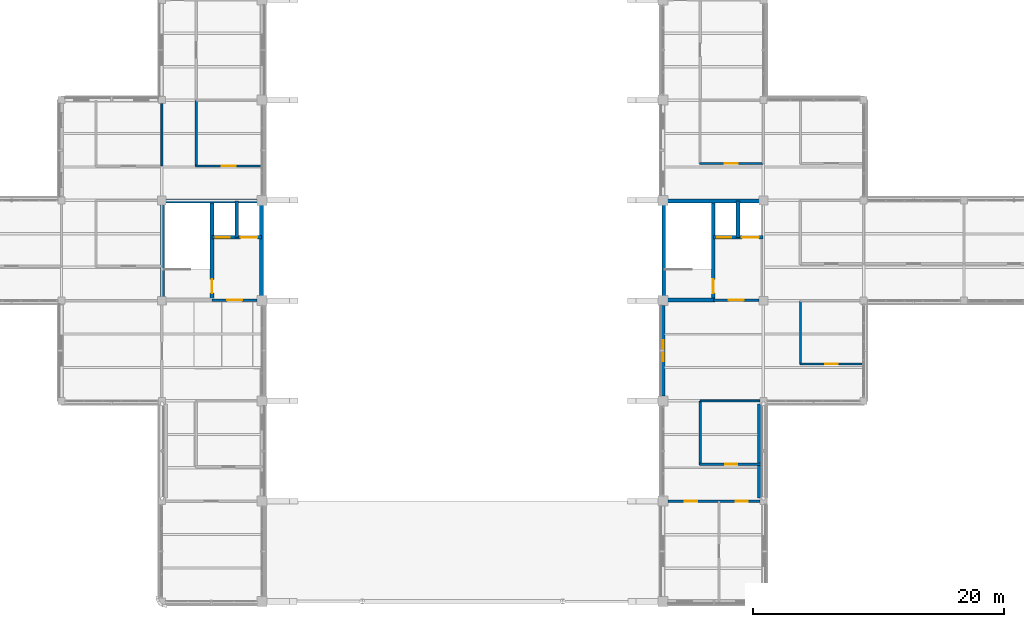
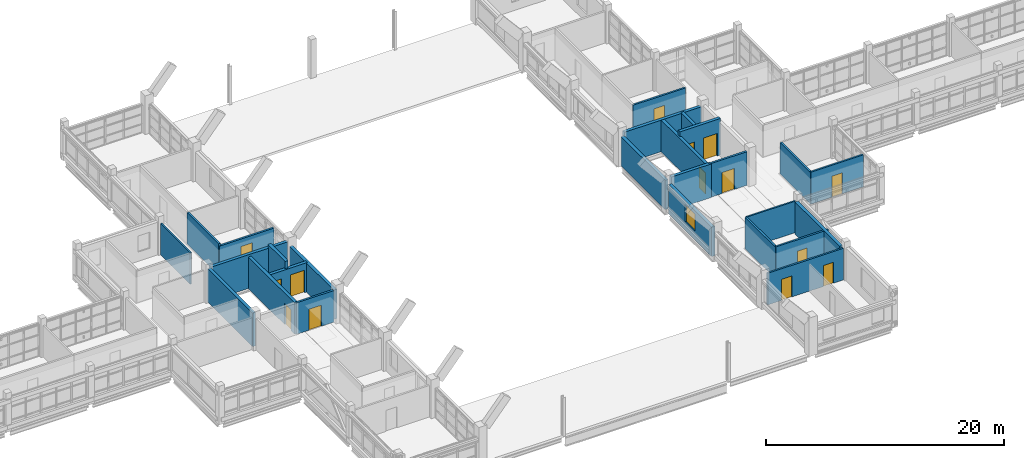
# One storey, part 66 of 92: 26 walls, 14 doors, 1 window, 15 openings.
"""IFC4 building model written with IfcOpenShell, lengths in metres."""

from ifc_helpers import new_model, si_unit, derived_unit, direction, frame, frame_2d, origin, place, context, subcontext, project, spatial, rectangle, extrude, material, layer, layer_set, type_object, element, fill, save


model = new_model("IFC4")

# Units and contexts
model_context = context("Model", 3, precision=1e-05, world=origin(), true_north=direction((0.0, 1.0)))
body_context = subcontext(model_context, "Body", "Model", "MODEL_VIEW")
ifc_project = project(units=[si_unit("LENGTHUNIT", "METRE"), si_unit("AREAUNIT", "SQUARE_METRE"), si_unit("VOLUMEUNIT", "CUBIC_METRE"), si_unit("PLANEANGLEUNIT", "RADIAN"), si_unit("MASSUNIT", "GRAM", prefix="KILO"), derived_unit("THERMALTRANSMITTANCEUNIT", [(si_unit("MASSUNIT", "GRAM", prefix="KILO"), 1), (si_unit("TIMEUNIT", "SECOND"), -3), (si_unit("THERMODYNAMICTEMPERATUREUNIT", "KELVIN"), -1)])], contexts=[model_context])

# Site, building, storey
site_placement = place(None, origin())
site = spatial("IfcSite", under=ifc_project, at=site_placement, CompositionType="ELEMENT")
building_placement = place(site_placement, origin())
building = spatial("IfcBuilding", under=site, at=building_placement, Name="Veyamyaing Civic Hall", CompositionType="ELEMENT")
storey_placement = place(building_placement, frame((0.0, 0.0, 17.820068359375)))
storey = spatial("IfcBuildingStorey", under=building, at=storey_placement, Name="L04", CompositionType="ELEMENT", Elevation=17.820068359375)

# Wall
ifc_material_1 = material(Name="Precast concrete C40/50", Category="concrete")
ifc_layer_1 = layer(ifc_material_1, 0.304931640625, Name="Precast concrete C40/50")
ifc_layer_set_1 = layer_set([ifc_layer_1], Name="Precast concrete C40/50")
wall_type_1 = type_object("IfcWallType", Name="WT-03", PredefinedType="SOLIDWALL", material=ifc_layer_set_1)
wall_1_placement = place(storey_placement, frame((111.699951171875, 32.260009765625, 0.0), z_axis=(0.0, 0.0, 1.0), x_axis=(0.0, 1.0, 0.0)))
element("IfcWall", 1, at=wall_1_placement, inside=storey, type_object=wall_type_1, Name="Exterior facade wall WT-03 L04 E 14.5", PredefinedType="SOLIDWALL", context=body_context, shape_type="SweptSolid", body=[
    extrude(rectangle(XDim=7.47998046875, YDim=0.304931640625, at=frame_2d((3.739990234375, 0.0))), origin(), (0.0, 0.0, 1.0), 3.288818359375),
])

# Wall, opening, window
wall_2_placement = place(storey_placement, frame((104.0, 40.385009765625, 0.0), z_axis=(0.0, 0.0, 1.0), x_axis=(0.0, 1.0, 0.0)))
wall_2 = element("IfcWall", 2, at=wall_2_placement, inside=storey, type_object=wall_type_1, Name="Exterior facade wall WT-03 L04 W 14.6", PredefinedType="SOLIDWALL", context=body_context, shape_type="SweptSolid", body=[
    extrude(rectangle(XDim=7.22998046875, YDim=0.304931640625, at=frame_2d((3.614990234375, 0.0))), origin(), (0.0, 0.0, 1.0), 3.001953125),
])
opening_1_placement = place(wall_2_placement, frame((2.7900390625, 0.0, 0.89990234375)))
opening_1 = element("IfcOpeningElement", 3, at=opening_1_placement, cuts=wall_2, Name="Opening W-24", PredefinedType="OPENING", context=body_context, shape_type="SweptSolid", body=[
    extrude(rectangle(XDim=1.64990234375, YDim=1.75, at=frame_2d((0.824951171875, 0.875))), frame((0.0, 0.162353515625, 0.0), z_axis=(0.0, -1.0, 0.0), x_axis=(1.0, 0.0, 0.0)), (0.0, 0.0, 1.0), 0.324951171875),
])
ifc_material_2 = material(Name="Low-E insulated glass", Category="glass")
window_type = type_object("IfcWindowType", Name="W-24", PartitioningType="SINGLE_PANEL", PredefinedType="WINDOW", material=ifc_material_2)
window_placement = place(opening_1_placement, origin())
window = element("IfcWindow", 4, at=window_placement, inside=storey, type_object=window_type, Name="Facade window W-24 L04 W 14.6", OverallHeight=1.75, OverallWidth=1.64990234375, PartitioningType="SINGLE_PANEL", PredefinedType="WINDOW", context=body_context, shape_type="SweptSolid", body=[
    extrude(rectangle(XDim=1.64990234375, YDim=1.75, at=frame_2d((0.824951171875, 0.875))), frame((0.0, 0.030029296875, 0.0), z_axis=(0.0, -1.0, 0.0), x_axis=(1.0, 0.0, 0.0)), (0.0, 0.0, 1.0), 0.06005859375),
])
fill(opening_1, window)

# Walls
ifc_material_3 = material(Name="Concrete C40/50", Category="concrete")
ifc_layer_2 = layer(ifc_material_3, 0.300048828125, Name="Concrete C40/50")
ifc_layer_set_2 = layer_set([ifc_layer_2], Name="Concrete C40/50")
wall_type_2 = type_object("IfcWallType", Name="WT-05", PredefinedType="SHEAR", material=ifc_layer_set_2)
wall_3_placement = place(storey_placement, frame((64.050048828125, 48.239990234375, 0.0), z_axis=(0.0, 0.0, 1.0), x_axis=(0.0, 1.0, 0.0)))
element("IfcWall", 5, at=wall_3_placement, inside=storey, type_object=wall_type_2, Name="Core shear wall WT-05 CORE-5 L04.W", PredefinedType="SHEAR", context=body_context, shape_type="SweptSolid", body=[
    extrude(rectangle(XDim=7.52001953125, YDim=0.300048828125, at=frame_2d((3.760009765625, 0.0))), origin(), (0.0, 0.0, 1.0), 3.43701171875),
])
wall_4_placement = place(storey_placement, frame((64.239990234375, 55.949951171875, 0.0), z_axis=(0.0, 0.0, 1.0), x_axis=(1.0, 0.0, 0.0)))
element("IfcWall", 6, at=wall_4_placement, inside=storey, type_object=wall_type_2, Name="Core shear wall WT-05 CORE-5 L04.N", PredefinedType="SHEAR", context=body_context, shape_type="SweptSolid", body=[
    extrude(rectangle(XDim=7.469970703125, YDim=0.300048828125, at=frame_2d((3.73486328125, 0.0))), origin(), (0.0, 0.0, 1.0), 3.43701171875),
])
wall_5_placement = place(storey_placement, frame((71.949951171875, 48.2900390625, 0.0), z_axis=(0.0, 0.0, 1.0), x_axis=(0.0, 1.0, 0.0)))
element("IfcWall", 7, at=wall_5_placement, inside=storey, type_object=wall_type_2, Name="Core shear wall WT-05 CORE-5 L04.E", PredefinedType="SHEAR", context=body_context, shape_type="SweptSolid", body=[
    extrude(rectangle(XDim=7.419921875, YDim=0.300048828125, at=frame_2d((3.7099609375, 0.0))), origin(), (0.0, 0.0, 1.0), 2.994873046875),
])

# Wall, opening, door
wall_6_placement = place(storey_placement, frame((68.0, 48.050048828125, 0.0), z_axis=(0.0, 0.0, 1.0), x_axis=(0.0, 1.0, 0.0)))
wall_6 = element("IfcWall", 8, at=wall_6_placement, inside=storey, type_object=wall_type_2, Name="Core shear wall WT-05 CORE-5 L04.MID", PredefinedType="SHEAR", context=body_context, shape_type="SweptSolid", body=[
    extrude(rectangle(XDim=7.89990234375, YDim=0.300048828125, at=frame_2d((3.949951171875, 0.0))), origin(), (0.0, 0.0, 1.0), 3.225830078125),
])
opening_2_placement = place(wall_6_placement, frame((0.550048828125, 0.0, 0.0)))
opening_2 = element("IfcOpeningElement", 9, at=opening_2_placement, cuts=wall_6, Name="Opening D-03", PredefinedType="OPENING", context=body_context, shape_type="SweptSolid", body=[
    extrude(rectangle(XDim=1.10009765625, YDim=2.14990234375, at=frame_2d((0.550048828125, 1.074951171875))), frame((0.0, 0.159912109375, 0.0), z_axis=(0.0, -1.0, 0.0), x_axis=(1.0, 0.0, 0.0)), (0.0, 0.0, 1.0), 0.320068359375),
])
ifc_material_4 = material(Name="Galvanized steel S355J2", Category="steel")
door_type_1 = type_object("IfcDoorType", Name="D-03", OperationType="NOTDEFINED", PredefinedType="DOOR", material=ifc_material_4)
door_1_placement = place(opening_2_placement, origin())
door_1 = element("IfcDoor", 10, at=door_1_placement, inside=storey, type_object=door_type_1, Name="Exit stair fire door D-03 ST-05 L04", OperationType="SINGLE_SWING_RIGHT", OverallHeight=2.14990234375, OverallWidth=1.10009765625, PredefinedType="DOOR", context=body_context, shape_type="SweptSolid", body=[
    extrude(rectangle(XDim=1.10009765625, YDim=2.14990234375, at=frame_2d((0.550048828125, 1.074951171875))), frame((0.0, 0.02490234375, 0.0), z_axis=(0.0, -1.0, 0.0), x_axis=(1.0, 0.0, 0.0)), (0.0, 0.0, 1.0), 0.050048828125),
])
fill(opening_2, door_1)

# Wall, openings, doors
wall_7_placement = place(storey_placement, frame((68.0, 53.050048828125, 0.0), z_axis=(0.0, 0.0, 1.0), x_axis=(1.0, 0.0, 0.0)))
wall_7 = element("IfcWall", 11, at=wall_7_placement, inside=storey, type_object=wall_type_2, Name="Core shear wall WT-05 CORE-5 L04.LFT", PredefinedType="SHEAR", context=body_context, shape_type="SweptSolid", body=[
    extrude(rectangle(XDim=3.949951171875, YDim=0.300048828125, at=frame_2d((1.97509765625, 0.0))), origin(), (0.0, 0.0, 1.0), 2.994873046875),
])
opening_3_placement = place(wall_7_placement, frame((0.320068359375, 0.0, 0.0)))
opening_3 = element("IfcOpeningElement", 12, at=opening_3_placement, cuts=wall_7, Name="Opening LD-01", PredefinedType="OPENING", context=body_context, shape_type="SweptSolid", body=[
    extrude(rectangle(XDim=1.10009765625, YDim=2.199951171875, at=frame_2d((0.550048828125, 1.10009765625))), frame((0.0, 0.159912109375, 0.0), z_axis=(0.0, -1.0, 0.0), x_axis=(1.0, 0.0, 0.0)), (0.0, 0.0, 1.0), 0.320068359375),
])
opening_4_placement = place(wall_7_placement, frame((2.280029296875, 0.0, 0.0)))
opening_4 = element("IfcOpeningElement", 13, at=opening_4_placement, cuts=wall_7, Name="Opening LD-03", PredefinedType="OPENING", context=body_context, shape_type="SweptSolid", body=[
    extrude(rectangle(XDim=1.35009765625, YDim=2.300048828125, at=frame_2d((0.675048828125, 1.14990234375))), frame((0.0, 0.159912109375, 0.0), z_axis=(0.0, -1.0, 0.0), x_axis=(1.0, 0.0, 0.0)), (0.0, 0.0, 1.0), 0.320068359375),
])
ifc_material_5 = material(Name="Anodised aluminium 6063-T6", Category="aluminium")
door_type_2 = type_object("IfcDoorType", Name="LD-01", OperationType="SLIDING_TO_LEFT", PredefinedType="DOOR", material=ifc_material_5)
door_2_placement = place(opening_3_placement, origin())
door_2 = element("IfcDoor", 14, at=door_2_placement, inside=storey, type_object=door_type_2, Name="Lift sliding landing door LD-01 PL-03 L04", OperationType="SLIDING_TO_LEFT", OverallHeight=2.199951171875, OverallWidth=1.10009765625, PredefinedType="DOOR", context=body_context, shape_type="SweptSolid", body=[
    extrude(rectangle(XDim=1.10009765625, YDim=2.199951171875, at=frame_2d((0.550048828125, 1.10009765625))), frame((0.0, 0.02490234375, 0.0), z_axis=(0.0, -1.0, 0.0), x_axis=(1.0, 0.0, 0.0)), (0.0, 0.0, 1.0), 0.050048828125),
])
fill(opening_3, door_2)
door_type_3 = type_object("IfcDoorType", Name="LD-03", OperationType="DOUBLE_DOOR_SLIDING", PredefinedType="DOOR", material=ifc_material_4)
door_3_placement = place(opening_4_placement, origin())
door_3 = element("IfcDoor", 15, at=door_3_placement, inside=storey, type_object=door_type_3, Name="Lift sliding landing door LD-03 GL-01 L04", OperationType="DOUBLE_DOOR_SLIDING", OverallHeight=2.300048828125, OverallWidth=1.35009765625, PredefinedType="DOOR", context=body_context, shape_type="SweptSolid", body=[
    extrude(rectangle(XDim=1.35009765625, YDim=2.300048828125, at=frame_2d((0.675048828125, 1.14990234375))), frame((0.0, 0.02490234375, 0.0), z_axis=(0.0, -1.0, 0.0), x_axis=(1.0, 0.0, 0.0)), (0.0, 0.0, 1.0), 0.050048828125),
])
fill(opening_4, door_3)

# Walls
wall_8_placement = place(storey_placement, frame((69.97998046875, 53.050048828125, 0.0), z_axis=(0.0, 0.0, 1.0), x_axis=(0.0, 1.0, 0.0)))
element("IfcWall", 16, at=wall_8_placement, inside=storey, type_object=wall_type_2, Name="Core shear wall WT-05 CORE-5 L04.LDIV", PredefinedType="SHEAR", context=body_context, shape_type="SweptSolid", body=[
    extrude(rectangle(XDim=2.89990234375, YDim=0.300048828125, at=frame_2d((1.449951171875, 0.0))), origin(), (0.0, 0.0, 1.0), 3.73486328125),
])
wall_9_placement = place(storey_placement, frame((104.050048828125, 48.2900390625, 0.0), z_axis=(0.0, 0.0, 1.0), x_axis=(0.0, 1.0, 0.0)))
element("IfcWall", 17, at=wall_9_placement, inside=storey, type_object=wall_type_2, Name="Core shear wall WT-05 CORE-6 L04.W", PredefinedType="SHEAR", context=body_context, shape_type="SweptSolid", body=[
    extrude(rectangle(XDim=7.419921875, YDim=0.300048828125, at=frame_2d((3.7099609375, 0.0))), origin(), (0.0, 0.0, 1.0), 2.994873046875),
])
wall_10_placement = place(storey_placement, frame((104.2900390625, 55.949951171875, 0.0), z_axis=(0.0, 0.0, 1.0), x_axis=(1.0, 0.0, 0.0)))
element("IfcWall", 18, at=wall_10_placement, inside=storey, type_object=wall_type_2, Name="Core shear wall WT-05 CORE-6 L04.N", PredefinedType="SHEAR", context=body_context, shape_type="SweptSolid", body=[
    extrude(rectangle(XDim=7.469970703125, YDim=0.300048828125, at=frame_2d((3.73486328125, 0.0))), origin(), (0.0, 0.0, 1.0), 3.23193359375),
])
wall_11_placement = place(storey_placement, frame((104.2900390625, 48.050048828125, 0.0), z_axis=(0.0, 0.0, 1.0), x_axis=(1.0, 0.0, 0.0)))
element("IfcWall", 19, at=wall_11_placement, inside=storey, type_object=wall_type_2, Name="Core shear wall WT-05 CORE-6 L04.SS", PredefinedType="SHEAR", context=body_context, shape_type="SweptSolid", body=[
    extrude(rectangle(XDim=3.85986328125, YDim=0.300048828125, at=frame_2d((1.929931640625, 0.0))), origin(), (0.0, 0.0, 1.0), 3.43701171875),
])

# Wall, opening, door
wall_12_placement = place(storey_placement, frame((108.0, 48.050048828125, 0.0), z_axis=(0.0, 0.0, 1.0), x_axis=(0.0, 1.0, 0.0)))
wall_12 = element("IfcWall", 20, at=wall_12_placement, inside=storey, type_object=wall_type_2, Name="Core shear wall WT-05 CORE-6 L04.MID", PredefinedType="SHEAR", context=body_context, shape_type="SweptSolid", body=[
    extrude(rectangle(XDim=7.89990234375, YDim=0.300048828125, at=frame_2d((3.949951171875, 0.0))), origin(), (0.0, 0.0, 1.0), 3.23193359375),
])
opening_5_placement = place(wall_12_placement, frame((0.550048828125, 0.0, 0.0)))
opening_5 = element("IfcOpeningElement", 21, at=opening_5_placement, cuts=wall_12, Name="Opening D-03", PredefinedType="OPENING", context=body_context, shape_type="SweptSolid", body=[
    extrude(rectangle(XDim=1.10009765625, YDim=2.14990234375, at=frame_2d((0.550048828125, 1.074951171875))), frame((0.0, 0.159912109375, 0.0), z_axis=(0.0, -1.0, 0.0), x_axis=(1.0, 0.0, 0.0)), (0.0, 0.0, 1.0), 0.320068359375),
])
door_4_placement = place(opening_5_placement, origin())
door_4 = element("IfcDoor", 22, at=door_4_placement, inside=storey, type_object=door_type_1, Name="Exit stair fire door D-03 ST-06 L04", OperationType="SINGLE_SWING_RIGHT", OverallHeight=2.14990234375, OverallWidth=1.10009765625, PredefinedType="DOOR", context=body_context, shape_type="SweptSolid", body=[
    extrude(rectangle(XDim=1.10009765625, YDim=2.14990234375, at=frame_2d((0.550048828125, 1.074951171875))), frame((0.0, 0.02490234375, 0.0), z_axis=(0.0, -1.0, 0.0), x_axis=(1.0, 0.0, 0.0)), (0.0, 0.0, 1.0), 0.050048828125),
])
fill(opening_5, door_4)

# Wall, openings, doors
wall_13_placement = place(storey_placement, frame((108.0, 53.050048828125, 0.0), z_axis=(0.0, 0.0, 1.0), x_axis=(1.0, 0.0, 0.0)))
wall_13 = element("IfcWall", 23, at=wall_13_placement, inside=storey, type_object=wall_type_2, Name="Core shear wall WT-05 CORE-6 L04.LFT", PredefinedType="SHEAR", context=body_context, shape_type="SweptSolid", body=[
    extrude(rectangle(XDim=3.949951171875, YDim=0.300048828125, at=frame_2d((1.97509765625, 0.0))), origin(), (0.0, 0.0, 1.0), 3.73486328125),
])
opening_6_placement = place(wall_13_placement, frame((0.320068359375, 0.0, 0.0)))
opening_6 = element("IfcOpeningElement", 24, at=opening_6_placement, cuts=wall_13, Name="Opening LD-01", PredefinedType="OPENING", context=body_context, shape_type="SweptSolid", body=[
    extrude(rectangle(XDim=1.10009765625, YDim=2.199951171875, at=frame_2d((0.550048828125, 1.10009765625))), frame((0.0, 0.159912109375, 0.0), z_axis=(0.0, -1.0, 0.0), x_axis=(1.0, 0.0, 0.0)), (0.0, 0.0, 1.0), 0.320068359375),
])
opening_7_placement = place(wall_13_placement, frame((2.280029296875, 0.0, 0.0)))
opening_7 = element("IfcOpeningElement", 25, at=opening_7_placement, cuts=wall_13, Name="Opening LD-03", PredefinedType="OPENING", context=body_context, shape_type="SweptSolid", body=[
    extrude(rectangle(XDim=1.35009765625, YDim=2.300048828125, at=frame_2d((0.675048828125, 1.14990234375))), frame((0.0, 0.159912109375, 0.0), z_axis=(0.0, -1.0, 0.0), x_axis=(1.0, 0.0, 0.0)), (0.0, 0.0, 1.0), 0.320068359375),
])
door_5_placement = place(opening_6_placement, origin())
door_5 = element("IfcDoor", 26, at=door_5_placement, inside=storey, type_object=door_type_2, Name="Lift sliding landing door LD-01 PL-04 L04", OperationType="SLIDING_TO_LEFT", OverallHeight=2.199951171875, OverallWidth=1.10009765625, PredefinedType="DOOR", context=body_context, shape_type="SweptSolid", body=[
    extrude(rectangle(XDim=1.10009765625, YDim=2.199951171875, at=frame_2d((0.550048828125, 1.10009765625))), frame((0.0, 0.02490234375, 0.0), z_axis=(0.0, -1.0, 0.0), x_axis=(1.0, 0.0, 0.0)), (0.0, 0.0, 1.0), 0.050048828125),
])
fill(opening_6, door_5)
door_6_placement = place(opening_7_placement, origin())
door_6 = element("IfcDoor", 27, at=door_6_placement, inside=storey, type_object=door_type_3, Name="Lift sliding landing door LD-03 GL-02 L04", OperationType="DOUBLE_DOOR_SLIDING", OverallHeight=2.300048828125, OverallWidth=1.35009765625, PredefinedType="DOOR", context=body_context, shape_type="SweptSolid", body=[
    extrude(rectangle(XDim=1.35009765625, YDim=2.300048828125, at=frame_2d((0.675048828125, 1.14990234375))), frame((0.0, 0.02490234375, 0.0), z_axis=(0.0, -1.0, 0.0), x_axis=(1.0, 0.0, 0.0)), (0.0, 0.0, 1.0), 0.050048828125),
])
fill(opening_7, door_6)

# Wall
wall_14_placement = place(storey_placement, frame((109.97998046875, 53.050048828125, 0.0), z_axis=(0.0, 0.0, 1.0), x_axis=(0.0, 1.0, 0.0)))
element("IfcWall", 28, at=wall_14_placement, inside=storey, type_object=wall_type_2, Name="Core shear wall WT-05 CORE-6 L04.LDIV", PredefinedType="SHEAR", context=body_context, shape_type="SweptSolid", body=[
    extrude(rectangle(XDim=2.89990234375, YDim=0.300048828125, at=frame_2d((1.449951171875, 0.0))), origin(), (0.0, 0.0, 1.0), 3.23193359375),
])

# Wall, opening, door
ifc_layer_3 = layer(ifc_material_3, 0.199951171875, Name="Concrete C40/50")
ifc_layer_set_3 = layer_set([ifc_layer_3], Name="Concrete C40/50")
wall_type_3 = type_object("IfcWallType", Name="WT-06", PredefinedType="PARTITIONING", material=ifc_layer_set_3)
wall_15_placement = place(storey_placement, frame((68.0, 48.050048828125, 0.0), z_axis=(0.0, 0.0, 1.0), x_axis=(1.0, 0.0, 0.0)))
wall_15 = element("IfcWall", 29, at=wall_15_placement, inside=storey, type_object=wall_type_3, Name="Firefighting lift lobby wall WT-06 CORE-5 L04", PredefinedType="PARTITIONING", context=body_context, shape_type="SweptSolid", body=[
    extrude(rectangle(XDim=3.610107421875, YDim=0.199951171875, at=frame_2d((1.80517578125, 0.0))), origin(), (0.0, 0.0, 1.0), 3.225830078125),
])
opening_8_placement = place(wall_15_placement, frame((1.205078125, 0.0, 0.0)))
opening_8 = element("IfcOpeningElement", 30, at=opening_8_placement, cuts=wall_15, Name="Opening D-04", PredefinedType="OPENING", context=body_context, shape_type="SweptSolid", body=[
    extrude(rectangle(XDim=1.199951171875, YDim=2.14990234375, at=frame_2d((0.60009765625, 1.074951171875))), frame((0.0, 0.10986328125, 0.0), z_axis=(0.0, -1.0, 0.0), x_axis=(1.0, 0.0, 0.0)), (0.0, 0.0, 1.0), 0.219970703125),
])
door_type_4 = type_object("IfcDoorType", Name="D-04", OperationType="NOTDEFINED", PredefinedType="DOOR", material=ifc_material_4)
door_7_placement = place(opening_8_placement, frame((1.199951171875, 0.0, 0.0), z_axis=(0.0, 0.0, 1.0), x_axis=(-1.0, 0.0, 0.0)))
door_7 = element("IfcDoor", 31, at=door_7_placement, inside=storey, type_object=door_type_4, Name="Protected lobby fire door D-04 CORE-5 L04", OperationType="SINGLE_SWING_LEFT", OverallHeight=2.14990234375, OverallWidth=1.199951171875, PredefinedType="DOOR", context=body_context, shape_type="SweptSolid", body=[
    extrude(rectangle(XDim=1.199951171875, YDim=2.14990234375, at=frame_2d((0.60009765625, 1.074951171875))), frame((0.0, 0.02490234375, 0.0), z_axis=(0.0, -1.0, 0.0), x_axis=(1.0, 0.0, 0.0)), (0.0, 0.0, 1.0), 0.050048828125),
])
fill(opening_8, door_7)

wall_16_placement = place(storey_placement, frame((108.0, 48.050048828125, 0.0), z_axis=(0.0, 0.0, 1.0), x_axis=(1.0, 0.0, 0.0)))
wall_16 = element("IfcWall", 32, at=wall_16_placement, inside=storey, type_object=wall_type_3, Name="Firefighting lift lobby wall WT-06 CORE-6 L04", PredefinedType="PARTITIONING", context=body_context, shape_type="SweptSolid", body=[
    extrude(rectangle(XDim=3.659912109375, YDim=0.199951171875, at=frame_2d((1.830078125, 0.0))), origin(), (0.0, 0.0, 1.0), 3.43701171875),
])
opening_9_placement = place(wall_16_placement, frame((1.22998046875, 0.0, 0.0)))
opening_9 = element("IfcOpeningElement", 33, at=opening_9_placement, cuts=wall_16, Name="Opening D-04", PredefinedType="OPENING", context=body_context, shape_type="SweptSolid", body=[
    extrude(rectangle(XDim=1.199951171875, YDim=2.14990234375, at=frame_2d((0.60009765625, 1.074951171875))), frame((0.0, 0.10986328125, 0.0), z_axis=(0.0, -1.0, 0.0), x_axis=(1.0, 0.0, 0.0)), (0.0, 0.0, 1.0), 0.219970703125),
])
door_8_placement = place(opening_9_placement, frame((1.199951171875, 0.0, 0.0), z_axis=(0.0, 0.0, 1.0), x_axis=(-1.0, 0.0, 0.0)))
door_8 = element("IfcDoor", 34, at=door_8_placement, inside=storey, type_object=door_type_4, Name="Protected lobby fire door D-04 CORE-6 L04", OperationType="SINGLE_SWING_LEFT", OverallHeight=2.14990234375, OverallWidth=1.199951171875, PredefinedType="DOOR", context=body_context, shape_type="SweptSolid", body=[
    extrude(rectangle(XDim=1.199951171875, YDim=2.14990234375, at=frame_2d((0.60009765625, 1.074951171875))), frame((0.0, 0.02490234375, 0.0), z_axis=(0.0, -1.0, 0.0), x_axis=(1.0, 0.0, 0.0)), (0.0, 0.0, 1.0), 0.050048828125),
])
fill(opening_9, door_8)

ifc_material_6 = material(Name="Gypsum board on acoustic steel stud", Category="steel")
ifc_layer_4 = layer(ifc_material_6, 0.175048828125, Name="Gypsum board on acoustic steel stud")
ifc_layer_set_4 = layer_set([ifc_layer_4], Name="Gypsum board on acoustic steel stud")
wall_type_4 = type_object("IfcWallType", Name="WT-07", PredefinedType="PARTITIONING", material=ifc_layer_set_4)
wall_17_placement = place(storey_placement, frame((106.89990234375, 58.949951171875, 0.0), z_axis=(0.0, 0.0, 1.0), x_axis=(1.0, 0.0, 0.0)))
wall_17 = element("IfcWall", 35, at=wall_17_placement, inside=storey, type_object=wall_type_4, Name="Corridor gallery partition WT-07 L04.25.1", PredefinedType="PARTITIONING", context=body_context, shape_type="SweptSolid", body=[
    extrude(rectangle(XDim=5.080078125, YDim=0.175048828125, at=frame_2d((2.5400390625, 0.0))), origin(), (0.0, 0.0, 1.0), 3.23193359375),
])
opening_10_placement = place(wall_17_placement, frame((2.014892578125, 0.0, 0.0)))
opening_10 = element("IfcOpeningElement", 36, at=opening_10_placement, cuts=wall_17, Name="Opening D-12", PredefinedType="OPENING", context=body_context, shape_type="SweptSolid", body=[
    extrude(rectangle(XDim=1.050048828125, YDim=2.14990234375, at=frame_2d((0.52490234375, 1.074951171875))), frame((0.0, 0.097412109375, 0.0), z_axis=(0.0, -1.0, 0.0), x_axis=(1.0, 0.0, 0.0)), (0.0, 0.0, 1.0), 0.195068359375),
])
ifc_material_7 = material(Name="Teak-veneered acoustic timber", Category="wood")
door_type_5 = type_object("IfcDoorType", Name="D-12", OperationType="NOTDEFINED", PredefinedType="DOOR", material=ifc_material_7)
door_9_placement = place(opening_10_placement, origin())
door_9 = element("IfcDoor", 37, at=door_9_placement, inside=storey, type_object=door_type_5, Name="Gallery office door D-12 L04.25", OperationType="SINGLE_SWING_RIGHT", OverallHeight=2.14990234375, OverallWidth=1.050048828125, PredefinedType="DOOR", context=body_context, shape_type="SweptSolid", body=[
    extrude(rectangle(XDim=1.050048828125, YDim=2.14990234375, at=frame_2d((0.52490234375, 1.074951171875))), frame((0.0, 0.02490234375, 0.0), z_axis=(0.0, -1.0, 0.0), x_axis=(1.0, 0.0, 0.0)), (0.0, 0.0, 1.0), 0.050048828125),
])
fill(opening_10, door_9)

wall_18_placement = place(storey_placement, frame((114.89990234375, 42.949951171875, 0.0), z_axis=(0.0, 0.0, 1.0), x_axis=(1.0, 0.0, 0.0)))
wall_18 = element("IfcWall", 38, at=wall_18_placement, inside=storey, type_object=wall_type_4, Name="Corridor gallery partition WT-07 L04.27.1", PredefinedType="PARTITIONING", context=body_context, shape_type="SweptSolid", body=[
    extrude(rectangle(XDim=5.080078125, YDim=0.175048828125, at=frame_2d((2.5400390625, 0.0))), origin(), (0.0, 0.0, 1.0), 3.27783203125),
])
opening_11_placement = place(wall_18_placement, frame((2.050048828125, 0.0, 0.0)))
opening_11 = element("IfcOpeningElement", 39, at=opening_11_placement, cuts=wall_18, Name="Opening D-14", PredefinedType="OPENING", context=body_context, shape_type="SweptSolid", body=[
    extrude(rectangle(XDim=0.97998046875, YDim=2.14990234375, at=frame_2d((0.489990234375, 1.074951171875))), frame((0.0, 0.097412109375, 0.0), z_axis=(0.0, -1.0, 0.0), x_axis=(1.0, 0.0, 0.0)), (0.0, 0.0, 1.0), 0.195068359375),
])
door_type_6 = type_object("IfcDoorType", Name="D-14", OperationType="NOTDEFINED", PredefinedType="DOOR", material=ifc_material_7)
door_10_placement = place(opening_11_placement, origin())
door_10 = element("IfcDoor", 40, at=door_10_placement, inside=storey, type_object=door_type_6, Name="Gallery office door D-14 L04.27", OperationType="SINGLE_SWING_RIGHT", OverallHeight=2.14990234375, OverallWidth=0.97998046875, PredefinedType="DOOR", context=body_context, shape_type="SweptSolid", body=[
    extrude(rectangle(XDim=0.97998046875, YDim=2.14990234375, at=frame_2d((0.489990234375, 1.074951171875))), frame((0.0, 0.02490234375, 0.0), z_axis=(0.0, -1.0, 0.0), x_axis=(1.0, 0.0, 0.0)), (0.0, 0.0, 1.0), 0.050048828125),
])
fill(opening_11, door_10)

# Wall
wall_19_placement = place(storey_placement, frame((114.949951171875, 42.89990234375, 0.0), z_axis=(0.0, 0.0, 1.0), x_axis=(0.0, 1.0, 0.0)))
element("IfcWall", 41, at=wall_19_placement, inside=storey, type_object=wall_type_4, Name="Corridor gallery partition WT-07 L04.27.2", PredefinedType="PARTITIONING", context=body_context, shape_type="SweptSolid", body=[
    extrude(rectangle(XDim=5.080078125, YDim=0.175048828125, at=frame_2d((2.5400390625, 0.0))), origin(), (0.0, 0.0, 1.0), 3.23193359375),
])

# Wall, openings, doors
wall_20_placement = place(storey_placement, frame((104.389892578125, 32.0, 0.0), z_axis=(0.0, 0.0, 1.0), x_axis=(1.0, 0.0, 0.0)))
wall_20 = element("IfcWall", 42, at=wall_20_placement, inside=storey, type_object=wall_type_4, Name="Interior partition wall WT-07 L04.17", PredefinedType="PARTITIONING", context=body_context, shape_type="SweptSolid", body=[
    extrude(rectangle(XDim=7.34521484375, YDim=0.175048828125, at=frame_2d((3.672607421875, 0.0))), origin(), (0.0, 0.0, 1.0), 3.238037109375),
])
opening_12_placement = place(wall_20_placement, frame((1.34619140625, 0.0, 0.0)))
opening_12 = element("IfcOpeningElement", 43, at=opening_12_placement, cuts=wall_20, Name="Opening D-14", PredefinedType="OPENING", context=body_context, shape_type="SweptSolid", body=[
    extrude(rectangle(XDim=0.97998046875, YDim=2.14990234375, at=frame_2d((0.489990234375, 1.074951171875))), frame((0.0, 0.097412109375, 0.0), z_axis=(0.0, -1.0, 0.0), x_axis=(1.0, 0.0, 0.0)), (0.0, 0.0, 1.0), 0.195068359375),
])
opening_13_placement = place(wall_20_placement, frame((5.385986328125, 0.0, 0.0)))
opening_13 = element("IfcOpeningElement", 44, at=opening_13_placement, cuts=wall_20, Name="Opening D-14", PredefinedType="OPENING", context=body_context, shape_type="SweptSolid", body=[
    extrude(rectangle(XDim=0.97998046875, YDim=2.14990234375, at=frame_2d((0.489990234375, 1.074951171875))), frame((0.0, 0.097412109375, 0.0), z_axis=(0.0, -1.0, 0.0), x_axis=(1.0, 0.0, 0.0)), (0.0, 0.0, 1.0), 0.195068359375),
])
door_11_placement = place(opening_12_placement, frame((0.97998046875, 0.0, 0.0), z_axis=(0.0, 0.0, 1.0), x_axis=(-1.0, 0.0, 0.0)))
door_11 = element("IfcDoor", 45, at=door_11_placement, inside=storey, type_object=door_type_6, Name="Interior room door D-14 L04.17.1", OperationType="SINGLE_SWING_RIGHT", OverallHeight=2.14990234375, OverallWidth=0.97998046875, PredefinedType="DOOR", context=body_context, shape_type="SweptSolid", body=[
    extrude(rectangle(XDim=0.97998046875, YDim=2.14990234375, at=frame_2d((0.489990234375, 1.074951171875))), frame((0.0, 0.02490234375, 0.0), z_axis=(0.0, -1.0, 0.0), x_axis=(1.0, 0.0, 0.0)), (0.0, 0.0, 1.0), 0.050048828125),
])
fill(opening_12, door_11)
door_12_placement = place(opening_13_placement, frame((0.97998046875, 0.0, 0.0), z_axis=(0.0, 0.0, 1.0), x_axis=(-1.0, 0.0, 0.0)))
door_12 = element("IfcDoor", 46, at=door_12_placement, inside=storey, type_object=door_type_6, Name="Interior room door D-14 L04.17.2", OperationType="SINGLE_SWING_LEFT", OverallHeight=2.14990234375, OverallWidth=0.97998046875, PredefinedType="DOOR", context=body_context, shape_type="SweptSolid", body=[
    extrude(rectangle(XDim=0.97998046875, YDim=2.14990234375, at=frame_2d((0.489990234375, 1.074951171875))), frame((0.0, 0.02490234375, 0.0), z_axis=(0.0, -1.0, 0.0), x_axis=(1.0, 0.0, 0.0)), (0.0, 0.0, 1.0), 0.050048828125),
])
fill(opening_13, door_12)

# Walls
ifc_material_8 = material(Name="Gypsum board on steel stud", Category="steel")
ifc_layer_5 = layer(ifc_material_8, 0.14990234375, Name="Gypsum board on steel stud")
ifc_layer_set_5 = layer_set([ifc_layer_5], Name="Gypsum board on steel stud")
wall_type_5 = type_object("IfcWallType", Name="WT-08", PredefinedType="PARTITIONING", material=ifc_layer_set_5)
wall_21_placement = place(storey_placement, frame((64.0, 58.75, 0.0), z_axis=(0.0, 0.0, 1.0), x_axis=(0.0, 1.0, 0.0)))
element("IfcWall", 47, at=wall_21_placement, inside=storey, type_object=wall_type_5, Name="Gallery office end partition WT-08 L04.20.2", PredefinedType="PARTITIONING", context=body_context, shape_type="SweptSolid", body=[
    extrude(rectangle(XDim=4.965087890625, YDim=0.14990234375, at=frame_2d((2.482421875, 0.0))), origin(), (0.0, 0.0, 1.0), 3.23193359375),
])
wall_22_placement = place(storey_placement, frame((106.949951171875, 40.0, 0.0), z_axis=(0.0, 0.0, 1.0), x_axis=(1.0, 0.0, 0.0)))
element("IfcWall", 48, at=wall_22_placement, inside=storey, type_object=wall_type_5, Name="Gallery office end partition WT-08 L04.24.1", PredefinedType="PARTITIONING", context=body_context, shape_type="SweptSolid", body=[
    extrude(rectangle(XDim=4.76513671875, YDim=0.14990234375, at=frame_2d((2.382568359375, 0.0))), origin(), (0.0, 0.0, 1.0), 3.225830078125),
])

# Wall, opening, door
ifc_material_9 = material(Name="Gypsum board on double acoustic stud")
ifc_layer_6 = layer(ifc_material_9, 0.18505859375, Name="Gypsum board on double acoustic stud")
ifc_layer_set_6 = layer_set([ifc_layer_6], Name="Gypsum board on double acoustic stud")
wall_type_6 = type_object("IfcWallType", Name="WT-19", PredefinedType="PARTITIONING", material=ifc_layer_set_6)
wall_23_placement = place(storey_placement, frame((66.699951171875, 58.75, 0.0), z_axis=(0.0, 0.0, 1.0), x_axis=(1.0, 0.0, 0.0)))
wall_23 = element("IfcWall", 49, at=wall_23_placement, inside=storey, type_object=wall_type_6, Name="Corridor gallery partition WT-19 L04.22.1", PredefinedType="PARTITIONING", context=body_context, shape_type="SweptSolid", body=[
    extrude(rectangle(XDim=5.280029296875, YDim=0.18505859375, at=frame_2d((2.64013671875, 0.0))), origin(), (0.0, 0.0, 1.0), 2.994873046875),
])
opening_14_placement = place(wall_23_placement, frame((2.080078125, 0.0, 0.0)))
opening_14 = element("IfcOpeningElement", 50, at=opening_14_placement, cuts=wall_23, Name="Opening D-26", PredefinedType="OPENING", context=body_context, shape_type="SweptSolid", body=[
    extrude(rectangle(XDim=1.1201171875, YDim=2.219970703125, at=frame_2d((0.56005859375, 1.10986328125))), frame((0.0, 0.1025390625, 0.0), z_axis=(0.0, -1.0, 0.0), x_axis=(1.0, 0.0, 0.0)), (0.0, 0.0, 1.0), 0.205078125),
])
door_type_7 = type_object("IfcDoorType", Name="D-26", OperationType="NOTDEFINED", PredefinedType="DOOR", material=ifc_material_7)
door_13_placement = place(opening_14_placement, origin())
door_13 = element("IfcDoor", 51, at=door_13_placement, inside=storey, type_object=door_type_7, Name="Gallery office door D-26 L04.22", OperationType="SINGLE_SWING_LEFT", OverallHeight=2.219970703125, OverallWidth=1.1201171875, PredefinedType="DOOR", context=body_context, shape_type="SweptSolid", body=[
    extrude(rectangle(XDim=1.1201171875, YDim=2.219970703125, at=frame_2d((0.56005859375, 1.10986328125))), frame((0.0, 0.02490234375, 0.0), z_axis=(0.0, -1.0, 0.0), x_axis=(1.0, 0.0, 0.0)), (0.0, 0.0, 1.0), 0.050048828125),
])
fill(opening_14, door_13)

# Wall
wall_24_placement = place(storey_placement, frame((66.75, 58.699951171875, 0.0), z_axis=(0.0, 0.0, 1.0), x_axis=(0.0, 1.0, 0.0)))
element("IfcWall", 52, at=wall_24_placement, inside=storey, type_object=wall_type_6, Name="Corridor gallery partition WT-19 L04.22.2", PredefinedType="PARTITIONING", context=body_context, shape_type="SweptSolid", body=[
    extrude(rectangle(XDim=5.280029296875, YDim=0.18505859375, at=frame_2d((2.64013671875, 0.0))), origin(), (0.0, 0.0, 1.0), 3.23193359375),
])

# Wall, opening, door
wall_25_placement = place(storey_placement, frame((106.89990234375, 34.949951171875, 0.0), z_axis=(0.0, 0.0, 1.0), x_axis=(1.0, 0.0, 0.0)))
wall_25 = element("IfcWall", 53, at=wall_25_placement, inside=storey, type_object=wall_type_6, Name="Corridor gallery partition WT-19 L04.24.1", PredefinedType="PARTITIONING", context=body_context, shape_type="SweptSolid", body=[
    extrude(rectangle(XDim=5.080078125, YDim=0.18505859375, at=frame_2d((2.5400390625, 0.0))), origin(), (0.0, 0.0, 1.0), 3.281982421875),
])
opening_15_placement = place(wall_25_placement, frame((2.070068359375, 0.0, 0.0)))
opening_15 = element("IfcOpeningElement", 54, at=opening_15_placement, cuts=wall_25, Name="Opening D-30", PredefinedType="OPENING", context=body_context, shape_type="SweptSolid", body=[
    extrude(rectangle(XDim=0.93994140625, YDim=2.1201171875, at=frame_2d((0.469970703125, 1.06005859375))), frame((0.0, 0.1025390625, 0.0), z_axis=(0.0, -1.0, 0.0), x_axis=(1.0, 0.0, 0.0)), (0.0, 0.0, 1.0), 0.205078125),
])
door_type_8 = type_object("IfcDoorType", Name="D-30", OperationType="NOTDEFINED", PredefinedType="DOOR", material=ifc_material_7)
door_14_placement = place(opening_15_placement, origin())
door_14 = element("IfcDoor", 55, at=door_14_placement, inside=storey, type_object=door_type_8, Name="Gallery office door D-30 L04.24", OperationType="SINGLE_SWING_LEFT", OverallHeight=2.1201171875, OverallWidth=0.93994140625, PredefinedType="DOOR", context=body_context, shape_type="SweptSolid", body=[
    extrude(rectangle(XDim=0.93994140625, YDim=2.1201171875, at=frame_2d((0.469970703125, 1.06005859375))), frame((0.0, 0.02490234375, 0.0), z_axis=(0.0, -1.0, 0.0), x_axis=(1.0, 0.0, 0.0)), (0.0, 0.0, 1.0), 0.050048828125),
])
fill(opening_15, door_14)

# Wall
wall_26_placement = place(storey_placement, frame((106.949951171875, 34.89990234375, 0.0), z_axis=(0.0, 0.0, 1.0), x_axis=(0.0, 1.0, 0.0)))
element("IfcWall", 56, at=wall_26_placement, inside=storey, type_object=wall_type_6, Name="Corridor gallery partition WT-19 L04.24.2", PredefinedType="PARTITIONING", context=body_context, shape_type="SweptSolid", body=[
    extrude(rectangle(XDim=5.080078125, YDim=0.18505859375, at=frame_2d((2.5400390625, 0.0))), origin(), (0.0, 0.0, 1.0), 3.225830078125),
])

save(model, "model.ifc")
